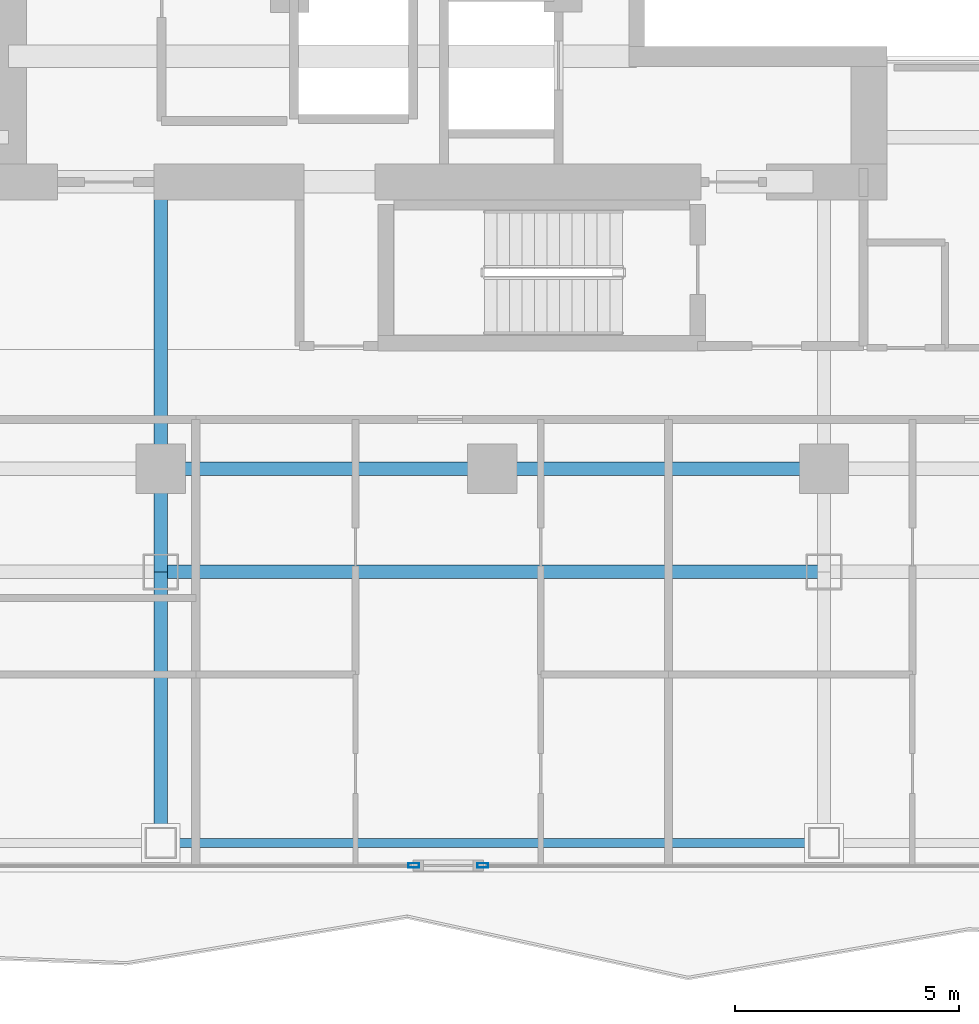
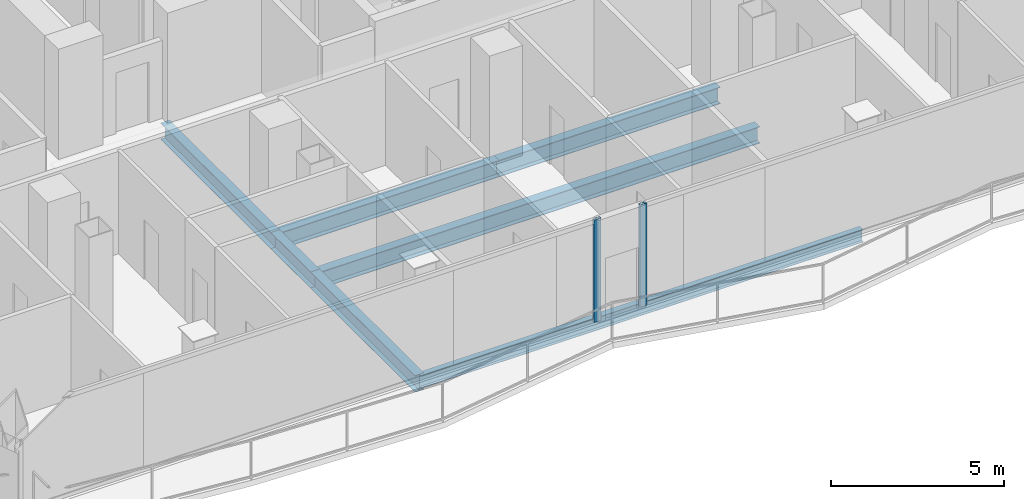
# One storey, part 4 of 26: 7 beams, 2 members, 2 elements without a shape of their own.
"""IFC4 building model written with IfcOpenShell, lengths in metres."""

from ifc_helpers import new_model, si_unit, direction, frame, origin, origin_2d, place, context, subcontext, project, spatial, hollow_rectangle, i_section, extrude, material, layer, layer_set, material_profile, profile_set, type_object, element, aggregate, save


model = new_model("IFC4")

# Units and contexts
model_context = context("Model", 3, precision=1e-05, world=origin(), true_north=direction((0.0, 1.0)))
body_context = subcontext(model_context, "Body", "Model", "MODEL_VIEW")
ifc_project = project(units=[si_unit("LENGTHUNIT", "METRE"), si_unit("AREAUNIT", "SQUARE_METRE"), si_unit("VOLUMEUNIT", "CUBIC_METRE"), si_unit("PLANEANGLEUNIT", "RADIAN"), si_unit("MASSUNIT", "GRAM", prefix="KILO")], contexts=[model_context])

# Site, building, storey
site_placement = place(None, origin())
site = spatial("IfcSite", under=ifc_project, at=site_placement, CompositionType="ELEMENT")
building_placement = place(site_placement, origin())
building = spatial("IfcBuilding", under=site, at=building_placement, Name="Khorvyn Point Tower", CompositionType="ELEMENT")
storey_placement = place(building_placement, frame((0.0, 0.0, 187.5)))
storey = spatial("IfcBuildingStorey", under=building, at=storey_placement, Name="L46", CompositionType="ELEMENT", Elevation=187.5)

# Curtain wall, member
ifc_material_1 = material(Name="Anodised aluminium 6063-T6 and laminated Low-E glass", Category="aluminium")
ifc_layer = layer(ifc_material_1, 0.18994140625)
ifc_layer_set = layer_set([ifc_layer], Name="Stick-Built Acoustic Curtain Wall CW-SYS-03")
curtain_wall_type = type_object("IfcCurtainWallType", Name="Stick-Built Acoustic Curtain Wall CW-SYS-03", PredefinedType="NOTDEFINED", material=ifc_layer_set)
curtain_wall_1_placement = place(storey_placement, origin())
curtain_wall_1 = element("IfcCurtainWall", 1, at=curtain_wall_1_placement, inside=storey, type_object=curtain_wall_type, Name="Curtain Wall", PredefinedType="NOTDEFINED")
ifc_material_2 = material(Name="Anodised aluminium 6063-T6", Category="aluminium")
ifc_material_profile_1 = material_profile(ifc_material_2, hollow_rectangle(XDim=0.10009765625, YDim=0.239990234375, WallThickness=0.0048828125, at=origin_2d()))
ifc_profile_set_1 = profile_set([ifc_material_profile_1], Name="Anodised aluminium 6063-T6 ALU-MUL-100x240")
member_type = type_object("IfcMemberType", Name="Anodised Aluminium 6063-T6 Mullion ALU-MUL-100x240", PredefinedType="MULLION", material=ifc_profile_set_1)
member_1_placement = place(storey_placement, frame((-0.216064453125, -23.64990234375, 0.0), z_axis=(0.0, 0.0, 1.0), x_axis=(0.0, -1.0, 0.0)))
member_1 = element("IfcMember", 2, at=member_1_placement, type_object=member_type, Name="Transom", PredefinedType="MULLION", context=body_context, shape_type="SweptSolid", body=[
    extrude(hollow_rectangle(XDim=0.10009765625, YDim=0.239990234375, WallThickness=0.0048828125, at=origin_2d()), origin(), (0.0, 0.0, 1.0), 3.6201171875),
])
aggregate(curtain_wall_1, [member_1])

curtain_wall_2_placement = place(storey_placement, origin())
curtain_wall_2 = element("IfcCurtainWall", 3, at=curtain_wall_2_placement, inside=storey, type_object=curtain_wall_type, Name="Curtain Wall", PredefinedType="NOTDEFINED")
member_2_placement = place(storey_placement, frame((-1.756103515625, -23.64990234375, 0.0), z_axis=(0.0, 0.0, 1.0), x_axis=(0.0, -1.0, 0.0)))
member_2 = element("IfcMember", 4, at=member_2_placement, type_object=member_type, Name="Transom", PredefinedType="MULLION", context=body_context, shape_type="SweptSolid", body=[
    extrude(hollow_rectangle(XDim=0.10009765625, YDim=0.239990234375, WallThickness=0.0048828125, at=origin_2d()), origin(), (0.0, 0.0, 1.0), 3.6201171875),
])
aggregate(curtain_wall_2, [member_2])

# Beams
ifc_material_3 = material(Name="Steel S355", Category="steel")
ifc_material_profile_2 = material_profile(ifc_material_3, i_section(OverallWidth=0.300048828125, OverallDepth=0.587890625, WebThickness=0.011962890625, FlangeThickness=0.02001953125, at=origin_2d()))
ifc_profile_set_2 = profile_set([ifc_material_profile_2], Name="Steel S355 H588x300x12x20")
beam_type_1 = type_object("IfcBeamType", Name="Steel S355 Beam H588x300x12x20", PredefinedType="BEAM", material=ifc_profile_set_2)
for number, where, z_axis, x_axis, name in (
    (5, (-7.39990234375, -14.800048828125, -0.513916015625), (1.0, 0.0, 0.0), (0.0, 1.0, 0.0), "Beam"),
    (6, (0.0, -14.800048828125, -0.513916015625), (1.0, 0.0, 0.0), (0.0, 1.0, 0.0), "Beam"),
):
    element("IfcBeam", number, at=place(storey_placement, frame(where, z_axis=z_axis, x_axis=x_axis)), inside=storey, type_object=beam_type_1, Name=name, PredefinedType="BEAM", context=body_context, shape_type="SweptSolid", body=[
        extrude(i_section(OverallWidth=0.300048828125, OverallDepth=0.587890625, WebThickness=0.011962890625, FlangeThickness=0.02001953125, at=origin_2d()), origin(), (0.0, 0.0, 1.0), 7.39990234375),
    ])
beam_1_placement = place(storey_placement, frame((-7.39990234375, -17.10009765625, -0.513916015625), z_axis=(1.0, 0.0, 0.0), x_axis=(0.0, 1.0, 0.0)))
element("IfcBeam", 7, at=beam_1_placement, inside=storey, type_object=beam_type_1, Name="Beam", PredefinedType="BEAM", context=body_context, shape_type="SweptSolid", body=[
    extrude(i_section(OverallWidth=0.300048828125, OverallDepth=0.587890625, WebThickness=0.011962890625, FlangeThickness=0.02001953125, at=origin_2d()), origin(), (0.0, 0.0, 1.0), 14.7998046875),
])
beam_2_placement = place(storey_placement, frame((-7.39990234375, -23.14990234375, -0.513916015625), z_axis=(0.0, 1.0, 0.0), x_axis=(-1.0, 0.0, 0.0)))
element("IfcBeam", 8, at=beam_2_placement, inside=storey, type_object=beam_type_1, Name="Beam", PredefinedType="BEAM", context=body_context, shape_type="SweptSolid", body=[
    extrude(i_section(OverallWidth=0.300048828125, OverallDepth=0.587890625, WebThickness=0.011962890625, FlangeThickness=0.02001953125, at=origin_2d()), origin(), (0.0, 0.0, 1.0), 6.0498046875),
])
beam_3_placement = place(storey_placement, frame((-7.39990234375, -17.10009765625, -0.513916015625), z_axis=(0.0, 1.0, 0.0), x_axis=(-1.0, 0.0, 0.0)))
element("IfcBeam", 9, at=beam_3_placement, inside=storey, type_object=beam_type_1, Name="Beam", PredefinedType="BEAM", context=body_context, shape_type="SweptSolid", body=[
    extrude(i_section(OverallWidth=0.300048828125, OverallDepth=0.587890625, WebThickness=0.011962890625, FlangeThickness=0.02001953125, at=origin_2d()), origin(), (0.0, 0.0, 1.0), 2.300048828125),
])
beam_4_placement = place(storey_placement, frame((-7.39990234375, -14.800048828125, -0.513916015625), z_axis=(0.0, 1.0, 0.0), x_axis=(-1.0, 0.0, 0.0)))
element("IfcBeam", 10, at=beam_4_placement, inside=storey, type_object=beam_type_1, Name="Beam", PredefinedType="BEAM", context=body_context, shape_type="SweptSolid", body=[
    extrude(i_section(OverallWidth=0.300048828125, OverallDepth=0.587890625, WebThickness=0.011962890625, FlangeThickness=0.02001953125, at=origin_2d()), origin(), (0.0, 0.0, 1.0), 6.400146484375),
])
ifc_material_profile_3 = material_profile(ifc_material_3, i_section(OverallWidth=0.199951171875, OverallDepth=0.449951171875, WebThickness=0.009033203125, FlangeThickness=0.013916015625, at=origin_2d()))
ifc_profile_set_3 = profile_set([ifc_material_profile_3], Name="Steel S355 H450x200x9x14")
beam_type_2 = type_object("IfcBeamType", Name="Steel S355 Spandrel H450x200x9x14", PredefinedType="SPANDREL", material=ifc_profile_set_3)
beam_5_placement = place(storey_placement, frame((-7.39990234375, -23.14990234375, -0.445068359375), z_axis=(1.0, 0.0, 0.0), x_axis=(0.0, 1.0, 0.0)))
element("IfcBeam", 11, at=beam_5_placement, inside=storey, type_object=beam_type_2, Name="Beam", PredefinedType="SPANDREL", context=body_context, shape_type="SweptSolid", body=[
    extrude(i_section(OverallWidth=0.199951171875, OverallDepth=0.449951171875, WebThickness=0.009033203125, FlangeThickness=0.013916015625, at=origin_2d()), origin(), (0.0, 0.0, 1.0), 14.7998046875),
])

save(model, "model.ifc")
